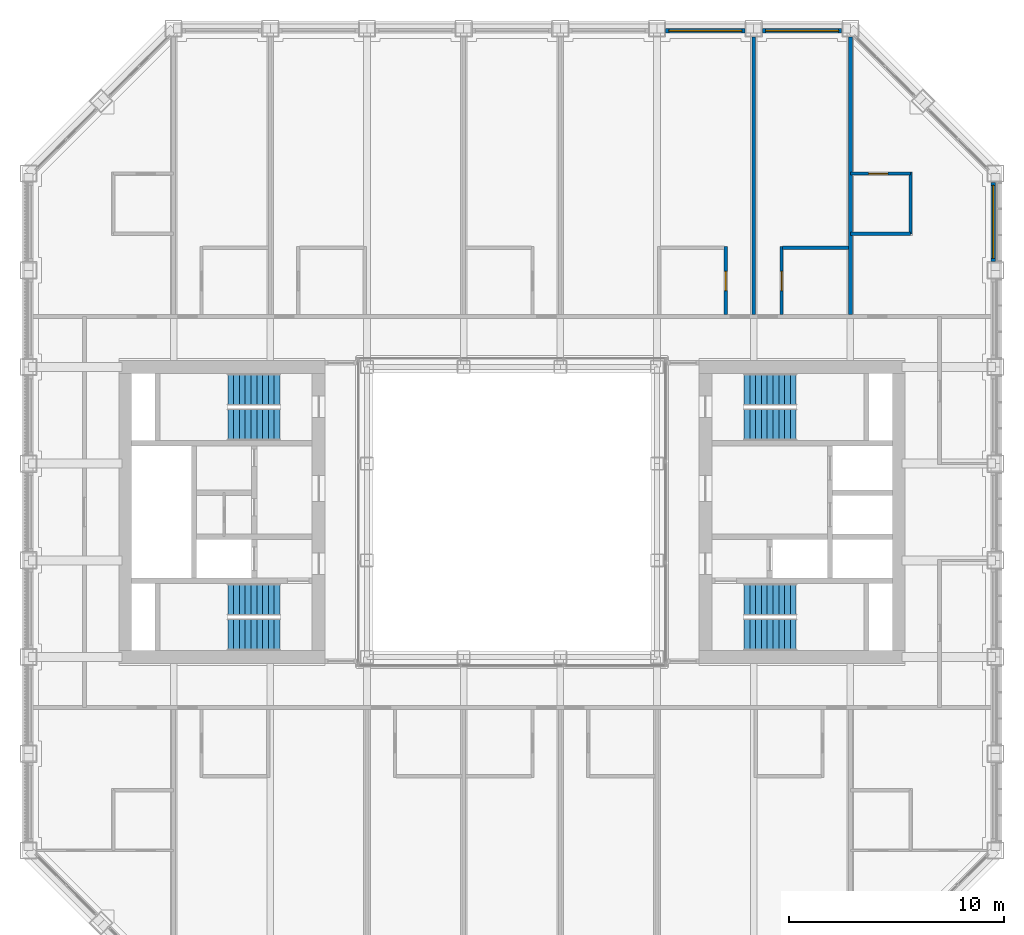
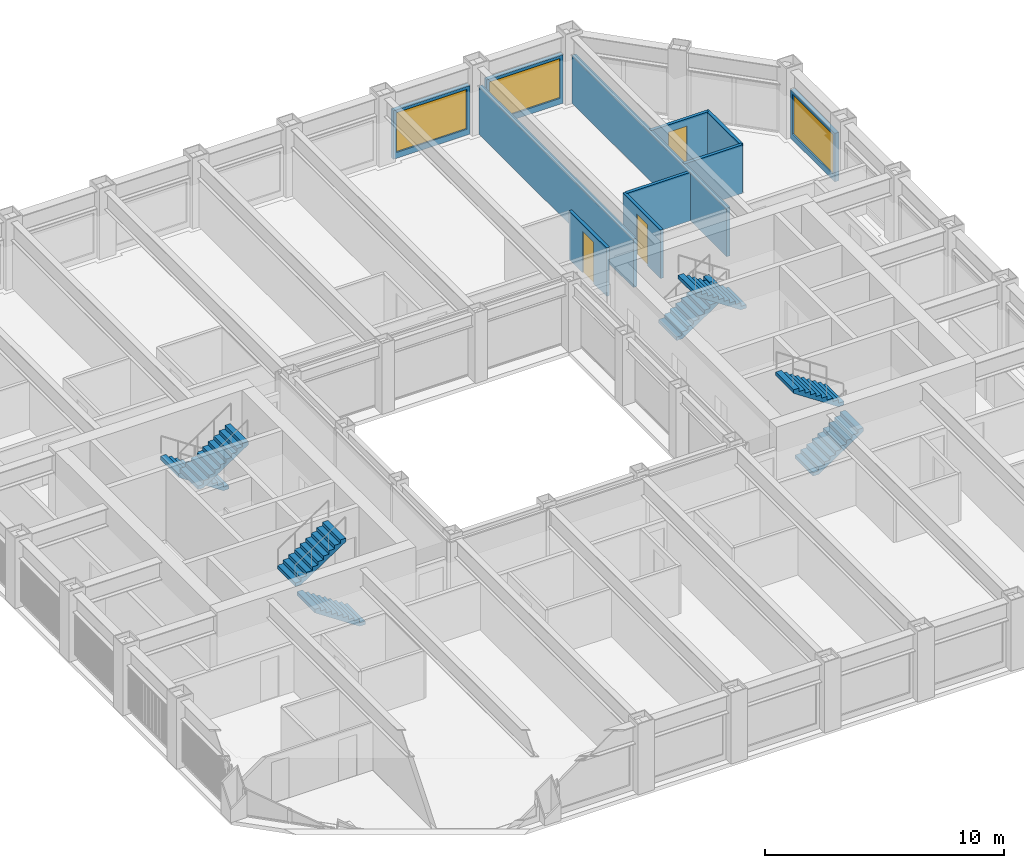
# One storey, part 14 of 17: 11 walls, 8 stair flights, 3 doors, 3 windows, 6 openings, 4 elements without a shape of their own.
"""IFC4 building model written with IfcOpenShell, lengths in metres."""

from ifc_helpers import new_model, si_unit, direction, frame, frame_2d, origin, place, context, subcontext, project, spatial, polyline, rectangle, outline, extrude, material, layer, layer_set, type_object, element, fill, aggregate, save


model = new_model("IFC4")

# Units and contexts
model_context = context("Model", 3, precision=1e-05, world=origin(), true_north=direction((0.0, 1.0)))
body_context = subcontext(model_context, "Body", "Model", "MODEL_VIEW")
ifc_project = project(units=[si_unit("LENGTHUNIT", "METRE"), si_unit("AREAUNIT", "SQUARE_METRE"), si_unit("VOLUMEUNIT", "CUBIC_METRE"), si_unit("PLANEANGLEUNIT", "RADIAN"), si_unit("MASSUNIT", "GRAM", prefix="KILO")], contexts=[model_context])

# Site, building, storey
site_placement = place(None, origin())
site = spatial("IfcSite", under=ifc_project, at=site_placement, CompositionType="ELEMENT")
building_placement = place(site_placement, origin())
building = spatial("IfcBuilding", under=site, at=building_placement, Name="Msasa Ring Tower", CompositionType="ELEMENT")
storey_placement = place(building_placement, frame((0.0, 0.0, 154.39990234375)))
storey = spatial("IfcBuildingStorey", under=building, at=storey_placement, Name="L40", CompositionType="ELEMENT", Elevation=154.39990234375)

# Wall, opening, window
ifc_material_1 = material(Name="Terracotta rainscreen on blockwork", Category="masonry")
ifc_layer_1 = layer(ifc_material_1, 0.199951171875)
ifc_layer_set_1 = layer_set([ifc_layer_1], Name="FW1 TERRACOTTA-LINED INFILL BAY WALL 200")
wall_type_1 = type_object("IfcWallType", Name="FW1 TERRACOTTA-LINED INFILL BAY WALL 200", PredefinedType="SOLIDWALL", material=ifc_layer_set_1)
wall_1_placement = place(storey_placement, frame((22.39990234375, 11.655029296875, 0.0), z_axis=(0.0, 0.0, 1.0), x_axis=(0.0, 1.0, 0.0)))
wall_1 = element("IfcWall", 1, at=wall_1_placement, inside=storey, type_object=wall_type_1, Name="Infill bay wall E L40 15", PredefinedType="SOLIDWALL", context=body_context, shape_type="SweptSolid", body=[
    extrude(rectangle(XDim=3.68994140625, YDim=0.199951171875, at=frame_2d((1.844970703125, 0.0))), origin(), (0.0, 0.0, 1.0), 2.47900390625),
])
opening_1_placement = place(wall_1_placement, frame((0.14501953125, 0.0, 0.300048828125)))
opening_1 = element("IfcOpeningElement", 2, at=opening_1_placement, cuts=wall_1, Name="Opening WN2", PredefinedType="OPENING", context=body_context, shape_type="SweptSolid", body=[
    extrude(rectangle(XDim=3.39990234375, YDim=2.029052734375, at=frame_2d((1.699951171875, 1.0146484375))), frame((0.0, 0.10986328125, 0.0), z_axis=(0.0, -1.0, 0.0), x_axis=(1.0, 0.0, 0.0)), (0.0, 0.0, 1.0), 0.219970703125),
])
ifc_material_2 = material(Name="Aluminium frame with clear glass", Category="aluminium")
window_type = type_object("IfcWindowType", Name="WN2 GUEST ROOM WINDOW 3400x2029", PartitioningType="SINGLE_PANEL", PredefinedType="WINDOW", material=ifc_material_2)
window_1_placement = place(opening_1_placement, origin())
window_1 = element("IfcWindow", 3, at=window_1_placement, inside=storey, type_object=window_type, Name="Window E L40 15", OverallHeight=2.029052734375, OverallWidth=3.39990234375, PartitioningType="SINGLE_PANEL", PredefinedType="WINDOW", context=body_context, shape_type="SweptSolid", body=[
    extrude(rectangle(XDim=3.39990234375, YDim=2.029052734375, at=frame_2d((1.699951171875, 1.0146484375))), frame((0.0, 0.030029296875, 0.0), z_axis=(0.0, -1.0, 0.0), x_axis=(1.0, 0.0, 0.0)), (0.0, 0.0, 1.0), 0.06005859375),
])
fill(opening_1, window_1)

wall_2_placement = place(storey_placement, frame((7.155029296875, 22.39990234375, 0.0), z_axis=(0.0, 0.0, 1.0), x_axis=(1.0, 0.0, 0.0)))
wall_2 = element("IfcWall", 4, at=wall_2_placement, inside=storey, type_object=wall_type_1, Name="Infill bay wall N L40 23", PredefinedType="SOLIDWALL", context=body_context, shape_type="SweptSolid", body=[
    extrude(rectangle(XDim=3.68994140625, YDim=0.199951171875, at=frame_2d((1.844970703125, 0.0))), origin(), (0.0, 0.0, 1.0), 2.47900390625),
])
opening_2_placement = place(wall_2_placement, frame((0.14501953125, 0.0, 0.300048828125)))
opening_2 = element("IfcOpeningElement", 5, at=opening_2_placement, cuts=wall_2, Name="Opening WN2", PredefinedType="OPENING", context=body_context, shape_type="SweptSolid", body=[
    extrude(rectangle(XDim=3.39990234375, YDim=2.029052734375, at=frame_2d((1.699951171875, 1.0146484375))), frame((0.0, 0.10986328125, 0.0), z_axis=(0.0, -1.0, 0.0), x_axis=(1.0, 0.0, 0.0)), (0.0, 0.0, 1.0), 0.219970703125),
])
window_2_placement = place(opening_2_placement, origin())
window_2 = element("IfcWindow", 6, at=window_2_placement, inside=storey, type_object=window_type, Name="Window N L40 23", OverallHeight=2.029052734375, OverallWidth=3.39990234375, PartitioningType="SINGLE_PANEL", PredefinedType="WINDOW", context=body_context, shape_type="SweptSolid", body=[
    extrude(rectangle(XDim=3.39990234375, YDim=2.029052734375, at=frame_2d((1.699951171875, 1.0146484375))), frame((0.0, 0.030029296875, 0.0), z_axis=(0.0, -1.0, 0.0), x_axis=(1.0, 0.0, 0.0)), (0.0, 0.0, 1.0), 0.06005859375),
])
fill(opening_2, window_2)

wall_3_placement = place(storey_placement, frame((11.655029296875, 22.39990234375, 0.0), z_axis=(0.0, 0.0, 1.0), x_axis=(1.0, 0.0, 0.0)))
wall_3 = element("IfcWall", 7, at=wall_3_placement, inside=storey, type_object=wall_type_1, Name="Infill bay wall N L40 24", PredefinedType="SOLIDWALL", context=body_context, shape_type="SweptSolid", body=[
    extrude(rectangle(XDim=3.68994140625, YDim=0.199951171875, at=frame_2d((1.844970703125, 0.0))), origin(), (0.0, 0.0, 1.0), 2.47900390625),
])
opening_3_placement = place(wall_3_placement, frame((0.14501953125, 0.0, 0.300048828125)))
opening_3 = element("IfcOpeningElement", 8, at=opening_3_placement, cuts=wall_3, Name="Opening WN2", PredefinedType="OPENING", context=body_context, shape_type="SweptSolid", body=[
    extrude(rectangle(XDim=3.39990234375, YDim=2.029052734375, at=frame_2d((1.699951171875, 1.0146484375))), frame((0.0, 0.10986328125, 0.0), z_axis=(0.0, -1.0, 0.0), x_axis=(1.0, 0.0, 0.0)), (0.0, 0.0, 1.0), 0.219970703125),
])
window_3_placement = place(opening_3_placement, origin())
window_3 = element("IfcWindow", 9, at=window_3_placement, inside=storey, type_object=window_type, Name="Window N L40 24", OverallHeight=2.029052734375, OverallWidth=3.39990234375, PartitioningType="SINGLE_PANEL", PredefinedType="WINDOW", context=body_context, shape_type="SweptSolid", body=[
    extrude(rectangle(XDim=3.39990234375, YDim=2.029052734375, at=frame_2d((1.699951171875, 1.0146484375))), frame((0.0, 0.030029296875, 0.0), z_axis=(0.0, -1.0, 0.0), x_axis=(1.0, 0.0, 0.0)), (0.0, 0.0, 1.0), 0.06005859375),
])
fill(opening_3, window_3)

# Wall, opening, door
ifc_material_3 = material(Name="Moisture-resistant board on steel studs with a concealed cistern and pipe void, tiled", Category="steel")
ifc_layer_2 = layer(ifc_material_3, 0.14990234375)
ifc_layer_set_2 = layer_set([ifc_layer_2], Name="PT4 BATHROOM WET WALL 150")
wall_type_2 = type_object("IfcWallType", Name="PT4 BATHROOM WET WALL 150", PredefinedType="PARTITIONING", material=ifc_layer_set_2)
wall_4_placement = place(storey_placement, frame((9.949951171875, 9.199951171875, 0.0), z_axis=(0.0, 0.0, 1.0), x_axis=(0.0, 1.0, 0.0)))
wall_4 = element("IfcWall", 10, at=wall_4_placement, inside=storey, type_object=wall_type_2, Name="Partition L40-GN03BX", PredefinedType="PARTITIONING", context=body_context, shape_type="SweptSolid", body=[
    extrude(rectangle(XDim=3.150146484375, YDim=0.14990234375, at=frame_2d((1.5751953125, 0.0))), origin(), (0.0, 0.0, 1.0), 2.473388671875),
])
opening_4_placement = place(wall_4_placement, frame((1.10009765625, 0.0, 0.0)))
opening_4 = element("IfcOpeningElement", 11, at=opening_4_placement, cuts=wall_4, Name="Opening HD-006", PredefinedType="OPENING", context=body_context, shape_type="SweptSolid", body=[
    extrude(rectangle(XDim=0.89990234375, YDim=2.10009765625, at=frame_2d((0.449951171875, 1.050048828125))), frame((0.0, 0.0849609375, 0.0), z_axis=(0.0, -1.0, 0.0), x_axis=(1.0, 0.0, 0.0)), (0.0, 0.0, 1.0), 0.169921875),
])
ifc_material_4 = material(Name="Timber door leaf in a steel frame", Category="steel")
door_type = type_object("IfcDoorType", Name="D3 BATHROOM DOOR 900x2100", OperationType="SINGLE_SWING_LEFT", PredefinedType="DOOR", material=ifc_material_4)
door_1_placement = place(opening_4_placement, origin())
door_1 = element("IfcDoor", 12, at=door_1_placement, inside=storey, type_object=door_type, Name="Door L40-GN03B", OperationType="SINGLE_SWING_LEFT", OverallHeight=2.10009765625, OverallWidth=0.89990234375, PredefinedType="DOOR", context=body_context, shape_type="SweptSolid", body=[
    extrude(rectangle(XDim=0.89990234375, YDim=2.10009765625, at=frame_2d((0.449951171875, 1.050048828125))), frame((0.0, 0.02490234375, 0.0), z_axis=(0.0, -1.0, 0.0), x_axis=(1.0, 0.0, 0.0)), (0.0, 0.0, 1.0), 0.050048828125),
])
fill(opening_4, door_1)

wall_5_placement = place(storey_placement, frame((12.550048828125, 9.199951171875, 0.0), z_axis=(0.0, 0.0, 1.0), x_axis=(0.0, 1.0, 0.0)))
wall_5 = element("IfcWall", 13, at=wall_5_placement, inside=storey, type_object=wall_type_2, Name="Partition L40-GN04BX", PredefinedType="PARTITIONING", context=body_context, shape_type="SweptSolid", body=[
    extrude(rectangle(XDim=3.150146484375, YDim=0.14990234375, at=frame_2d((1.5751953125, 0.0))), origin(), (0.0, 0.0, 1.0), 2.473388671875),
])
opening_5_placement = place(wall_5_placement, frame((1.10009765625, 0.0, 0.0)))
opening_5 = element("IfcOpeningElement", 14, at=opening_5_placement, cuts=wall_5, Name="Opening HD-007", PredefinedType="OPENING", context=body_context, shape_type="SweptSolid", body=[
    extrude(rectangle(XDim=0.89990234375, YDim=2.10009765625, at=frame_2d((0.449951171875, 1.050048828125))), frame((0.0, 0.0849609375, 0.0), z_axis=(0.0, -1.0, 0.0), x_axis=(1.0, 0.0, 0.0)), (0.0, 0.0, 1.0), 0.169921875),
])
door_2_placement = place(opening_5_placement, origin())
door_2 = element("IfcDoor", 15, at=door_2_placement, inside=storey, type_object=door_type, Name="Door L40-GN04B", OperationType="SINGLE_SWING_LEFT", OverallHeight=2.10009765625, OverallWidth=0.89990234375, PredefinedType="DOOR", context=body_context, shape_type="SweptSolid", body=[
    extrude(rectangle(XDim=0.89990234375, YDim=2.10009765625, at=frame_2d((0.449951171875, 1.050048828125))), frame((0.0, 0.02490234375, 0.0), z_axis=(0.0, -1.0, 0.0), x_axis=(1.0, 0.0, 0.0)), (0.0, 0.0, 1.0), 0.050048828125),
])
fill(opening_5, door_2)

# Walls
wall_6_placement = place(storey_placement, frame((12.60009765625, 12.300048828125, 0.0), z_axis=(0.0, 0.0, 1.0), x_axis=(1.0, 0.0, 0.0)))
element("IfcWall", 16, at=wall_6_placement, inside=storey, type_object=wall_type_2, Name="Partition L40-GN04BY", PredefinedType="PARTITIONING", context=body_context, shape_type="SweptSolid", body=[
    extrude(rectangle(XDim=3.0625, YDim=0.14990234375, at=frame_2d((1.53125, 0.0))), origin(), (0.0, 0.0, 1.0), 2.473388671875),
])
wall_7_placement = place(storey_placement, frame((18.550048828125, 12.949951171875, 0.0), z_axis=(0.0, 0.0, 1.0), x_axis=(0.0, 1.0, 0.0)))
element("IfcWall", 17, at=wall_7_placement, inside=storey, type_object=wall_type_2, Name="Partition L40-CSNEBX", PredefinedType="PARTITIONING", context=body_context, shape_type="SweptSolid", body=[
    extrude(rectangle(XDim=2.875, YDim=0.14990234375, at=frame_2d((1.4375, 0.0))), origin(), (0.0, 0.0, 1.0), 2.473388671875),
])
wall_8_placement = place(storey_placement, frame((15.75, 12.949951171875, 0.0), z_axis=(0.0, 0.0, 1.0), x_axis=(1.0, 0.0, 0.0)))
element("IfcWall", 18, at=wall_8_placement, inside=storey, type_object=wall_type_2, Name="Partition L40-CSNEBY", PredefinedType="PARTITIONING", context=body_context, shape_type="SweptSolid", body=[
    extrude(rectangle(XDim=2.800048828125, YDim=0.14990234375, at=frame_2d((1.39990234375, 0.0))), origin(), (0.0, 0.0, 1.0), 2.473388671875),
])

# Wall, opening, door
wall_9_placement = place(storey_placement, frame((15.75, 15.75, 0.0), z_axis=(0.0, 0.0, 1.0), x_axis=(1.0, 0.0, 0.0)))
wall_9 = element("IfcWall", 19, at=wall_9_placement, inside=storey, type_object=wall_type_2, Name="Partition L40-CSNEBZ", PredefinedType="PARTITIONING", context=body_context, shape_type="SweptSolid", body=[
    extrude(rectangle(XDim=2.800048828125, YDim=0.14990234375, at=frame_2d((1.39990234375, 0.0))), origin(), (0.0, 0.0, 1.0), 2.473388671875),
])
opening_6_placement = place(wall_9_placement, frame((0.85009765625, 0.0, 0.0)))
opening_6 = element("IfcOpeningElement", 20, at=opening_6_placement, cuts=wall_9, Name="Opening HD-002", PredefinedType="OPENING", context=body_context, shape_type="SweptSolid", body=[
    extrude(rectangle(XDim=0.89990234375, YDim=2.10009765625, at=frame_2d((0.449951171875, 1.050048828125))), frame((0.0, 0.0849609375, 0.0), z_axis=(0.0, -1.0, 0.0), x_axis=(1.0, 0.0, 0.0)), (0.0, 0.0, 1.0), 0.169921875),
])
door_3_placement = place(opening_6_placement, origin())
door_3 = element("IfcDoor", 21, at=door_3_placement, inside=storey, type_object=door_type, Name="Door L40-CSNEB1", OperationType="SINGLE_SWING_LEFT", OverallHeight=2.10009765625, OverallWidth=0.89990234375, PredefinedType="DOOR", context=body_context, shape_type="SweptSolid", body=[
    extrude(rectangle(XDim=0.89990234375, YDim=2.10009765625, at=frame_2d((0.449951171875, 1.050048828125))), frame((0.0, 0.02490234375, 0.0), z_axis=(0.0, -1.0, 0.0), x_axis=(1.0, 0.0, 0.0)), (0.0, 0.0, 1.0), 0.050048828125),
])
fill(opening_6, door_3)

# Walls
ifc_material_5 = material(Name="Twin steel studs, two layers of acoustic board each face, mineral wool", Category="steel")
ifc_layer_3 = layer(ifc_material_5, 0.175048828125)
ifc_layer_set_3 = layer_set([ifc_layer_3], Name="PT5 GUEST ROOM SEPARATING WALL 175")
wall_type_3 = type_object("IfcWallType", Name="PT5 GUEST ROOM SEPARATING WALL 175", PredefinedType="PARTITIONING", material=ifc_layer_set_3)
for number, where, z_axis, x_axis, name in (
    (22, (11.25, 9.199951171875, 0.0), (0.0, 0.0, 1.0), (0.0, 1.0, 0.0), "Partition L40-PWN+11.25"),
    (23, (15.75, 9.199951171875, 0.0), (0.0, 0.0, 1.0), (0.0, 1.0, 0.0), "Partition L40-PWN+15.75"),
):
    element("IfcWall", number, at=place(storey_placement, frame(where, z_axis=z_axis, x_axis=x_axis)), inside=storey, type_object=wall_type_3, Name=name, PredefinedType="PARTITIONING", context=body_context, shape_type="SweptSolid", body=[
        extrude(rectangle(XDim=12.900146484375, YDim=0.175048828125, at=frame_2d((6.4501953125, 0.0))), origin(), (0.0, 0.0, 1.0), 2.473388671875),
    ])

# Stair, stair flights
ifc_material_6 = material(Name="Concrete C40/50", Category="concrete")
stair_type = type_object("IfcStairType", Name="STC CORE STAIR 20 RISERS 180", PredefinedType="HALF_TURN_STAIR", material=ifc_material_6)
stair_1_placement = place(storey_placement, origin())
stair_1 = element("IfcStair", 24, at=stair_1_placement, inside=storey, type_object=stair_type, Name="Core stair SEA L40", PredefinedType="HALF_TURN_STAIR")
ifc_material_7 = material(Name="Concrete C40/50", Category="concrete")
stair_flight_type = type_object("IfcStairFlightType", Name="ST14 CORE STAIR FLIGHT 1500 10 RISERS 180", PredefinedType="STRAIGHT", material=ifc_material_7)
stair_flight_1_placement = place(storey_placement, frame((10.800048828125, -5.699951171875, 0.0), z_axis=(0.0, 0.0, 1.0), x_axis=(1.0, 0.0, 0.0)))
stair_flight_1 = element("IfcStairFlight", 25, at=stair_flight_1_placement, type_object=stair_flight_type, Name="SEA flight 1", NumberOfRisers=10, NumberOfTreads=9, PredefinedType="STRAIGHT", RiserHeight=0.18, TreadLength=0.27, context=body_context, shape_type="SweptSolid", body=[
    extrude(outline(polyline([(0.0, 0.0), (0.0, 0.179931640625), (0.27001953125, 0.179931640625), (0.27001953125, 0.360107421875), (0.5400390625, 0.360107421875), (0.5400390625, 0.5400390625), (0.81005859375, 0.5400390625), (0.81005859375, 0.719970703125), (1.080078125, 0.719970703125), (1.080078125, 0.89990234375), (1.35009765625, 0.89990234375), (1.35009765625, 1.080078125), (1.6201171875, 1.080078125), (1.6201171875, 1.260009765625), (1.889892578125, 1.260009765625), (1.889892578125, 1.43994140625), (2.159912109375, 1.43994140625), (2.159912109375, 1.6201171875), (2.429931640625, 1.6201171875), (2.429931640625, 1.800048828125), (2.429931640625, 1.43994140625), (0.270263671875, 0.0), (0.0, 0.0)])), frame((0.0, 0.75, 0.0), z_axis=(0.0, -1.0, 0.0), x_axis=(1.0, 0.0, 0.0)), (0.0, 0.0, 1.0), 1.5),
])
stair_flight_2_placement = place(storey_placement, frame((13.22998046875, -4.074951171875, 1.800048828125), z_axis=(0.0, 0.0, 1.0), x_axis=(-1.0, 0.0, 0.0)))
stair_flight_2 = element("IfcStairFlight", 26, at=stair_flight_2_placement, type_object=stair_flight_type, Name="SEA flight 2", NumberOfRisers=10, NumberOfTreads=9, PredefinedType="STRAIGHT", RiserHeight=0.18, TreadLength=0.27, context=body_context, shape_type="SweptSolid", body=[
    extrude(outline(polyline([(0.0, 0.0), (0.0, 0.179931640625), (0.27001953125, 0.179931640625), (0.27001953125, 0.360107421875), (0.5400390625, 0.360107421875), (0.5400390625, 0.5400390625), (0.81005859375, 0.5400390625), (0.81005859375, 0.719970703125), (1.080078125, 0.719970703125), (1.080078125, 0.89990234375), (1.35009765625, 0.89990234375), (1.35009765625, 1.080078125), (1.6201171875, 1.080078125), (1.6201171875, 1.260009765625), (1.889892578125, 1.260009765625), (1.889892578125, 1.43994140625), (2.159912109375, 1.43994140625), (2.159912109375, 1.6201171875), (2.429931640625, 1.6201171875), (2.429931640625, 1.800048828125), (2.429931640625, 1.43994140625), (0.270263671875, 0.0), (0.0, 0.0)])), frame((0.0, 0.75, 0.0), z_axis=(0.0, -1.0, 0.0), x_axis=(1.0, 0.0, 0.0)), (0.0, 0.0, 1.0), 1.5),
])
aggregate(stair_1, [stair_flight_1, stair_flight_2])

stair_2_placement = place(storey_placement, origin())
stair_2 = element("IfcStair", 27, at=stair_2_placement, inside=storey, type_object=stair_type, Name="Core stair SEB L40", PredefinedType="HALF_TURN_STAIR")
stair_flight_3_placement = place(storey_placement, frame((10.800048828125, 5.699951171875, 0.0), z_axis=(0.0, 0.0, 1.0), x_axis=(1.0, 0.0, 0.0)))
stair_flight_3 = element("IfcStairFlight", 28, at=stair_flight_3_placement, type_object=stair_flight_type, Name="SEB flight 1", NumberOfRisers=10, NumberOfTreads=9, PredefinedType="STRAIGHT", RiserHeight=0.18, TreadLength=0.27, context=body_context, shape_type="SweptSolid", body=[
    extrude(outline(polyline([(0.0, 0.0), (0.0, 0.179931640625), (0.27001953125, 0.179931640625), (0.27001953125, 0.360107421875), (0.5400390625, 0.360107421875), (0.5400390625, 0.5400390625), (0.81005859375, 0.5400390625), (0.81005859375, 0.719970703125), (1.080078125, 0.719970703125), (1.080078125, 0.89990234375), (1.35009765625, 0.89990234375), (1.35009765625, 1.080078125), (1.6201171875, 1.080078125), (1.6201171875, 1.260009765625), (1.889892578125, 1.260009765625), (1.889892578125, 1.43994140625), (2.159912109375, 1.43994140625), (2.159912109375, 1.6201171875), (2.429931640625, 1.6201171875), (2.429931640625, 1.800048828125), (2.429931640625, 1.43994140625), (0.270263671875, 0.0), (0.0, 0.0)])), frame((0.0, 0.75, 0.0), z_axis=(0.0, -1.0, 0.0), x_axis=(1.0, 0.0, 0.0)), (0.0, 0.0, 1.0), 1.5),
])
stair_flight_4_placement = place(storey_placement, frame((13.22998046875, 4.074951171875, 1.800048828125), z_axis=(0.0, 0.0, 1.0), x_axis=(-1.0, 0.0, 0.0)))
stair_flight_4 = element("IfcStairFlight", 29, at=stair_flight_4_placement, type_object=stair_flight_type, Name="SEB flight 2", NumberOfRisers=10, NumberOfTreads=9, PredefinedType="STRAIGHT", RiserHeight=0.18, TreadLength=0.27, context=body_context, shape_type="SweptSolid", body=[
    extrude(outline(polyline([(0.0, 0.0), (0.0, 0.179931640625), (0.27001953125, 0.179931640625), (0.27001953125, 0.360107421875), (0.5400390625, 0.360107421875), (0.5400390625, 0.5400390625), (0.81005859375, 0.5400390625), (0.81005859375, 0.719970703125), (1.080078125, 0.719970703125), (1.080078125, 0.89990234375), (1.35009765625, 0.89990234375), (1.35009765625, 1.080078125), (1.6201171875, 1.080078125), (1.6201171875, 1.260009765625), (1.889892578125, 1.260009765625), (1.889892578125, 1.43994140625), (2.159912109375, 1.43994140625), (2.159912109375, 1.6201171875), (2.429931640625, 1.6201171875), (2.429931640625, 1.800048828125), (2.429931640625, 1.43994140625), (0.270263671875, 0.0), (0.0, 0.0)])), frame((0.0, 0.75, 0.0), z_axis=(0.0, -1.0, 0.0), x_axis=(1.0, 0.0, 0.0)), (0.0, 0.0, 1.0), 1.5),
])
aggregate(stair_2, [stair_flight_3, stair_flight_4])

stair_3_placement = place(storey_placement, origin())
stair_3 = element("IfcStair", 30, at=stair_3_placement, inside=storey, type_object=stair_type, Name="Core stair SWA L40", PredefinedType="HALF_TURN_STAIR")
stair_flight_5_placement = place(storey_placement, frame((-10.800048828125, -5.699951171875, 0.0), z_axis=(0.0, 0.0, 1.0), x_axis=(-1.0, 0.0, 0.0)))
stair_flight_5 = element("IfcStairFlight", 31, at=stair_flight_5_placement, type_object=stair_flight_type, Name="SWA flight 1", NumberOfRisers=10, NumberOfTreads=9, PredefinedType="STRAIGHT", RiserHeight=0.18, TreadLength=0.27, context=body_context, shape_type="SweptSolid", body=[
    extrude(outline(polyline([(0.0, 0.0), (0.0, 0.179931640625), (0.27001953125, 0.179931640625), (0.27001953125, 0.360107421875), (0.5400390625, 0.360107421875), (0.5400390625, 0.5400390625), (0.81005859375, 0.5400390625), (0.81005859375, 0.719970703125), (1.080078125, 0.719970703125), (1.080078125, 0.89990234375), (1.35009765625, 0.89990234375), (1.35009765625, 1.080078125), (1.6201171875, 1.080078125), (1.6201171875, 1.260009765625), (1.889892578125, 1.260009765625), (1.889892578125, 1.43994140625), (2.159912109375, 1.43994140625), (2.159912109375, 1.6201171875), (2.429931640625, 1.6201171875), (2.429931640625, 1.800048828125), (2.429931640625, 1.43994140625), (0.270263671875, 0.0), (0.0, 0.0)])), frame((0.0, 0.75, 0.0), z_axis=(0.0, -1.0, 0.0), x_axis=(1.0, 0.0, 0.0)), (0.0, 0.0, 1.0), 1.5),
])
stair_flight_6_placement = place(storey_placement, frame((-13.22998046875, -4.074951171875, 1.800048828125), z_axis=(0.0, 0.0, 1.0), x_axis=(1.0, 0.0, 0.0)))
stair_flight_6 = element("IfcStairFlight", 32, at=stair_flight_6_placement, type_object=stair_flight_type, Name="SWA flight 2", NumberOfRisers=10, NumberOfTreads=9, PredefinedType="STRAIGHT", RiserHeight=0.18, TreadLength=0.27, context=body_context, shape_type="SweptSolid", body=[
    extrude(outline(polyline([(0.0, 0.0), (0.0, 0.179931640625), (0.27001953125, 0.179931640625), (0.27001953125, 0.360107421875), (0.5400390625, 0.360107421875), (0.5400390625, 0.5400390625), (0.81005859375, 0.5400390625), (0.81005859375, 0.719970703125), (1.080078125, 0.719970703125), (1.080078125, 0.89990234375), (1.35009765625, 0.89990234375), (1.35009765625, 1.080078125), (1.6201171875, 1.080078125), (1.6201171875, 1.260009765625), (1.889892578125, 1.260009765625), (1.889892578125, 1.43994140625), (2.159912109375, 1.43994140625), (2.159912109375, 1.6201171875), (2.429931640625, 1.6201171875), (2.429931640625, 1.800048828125), (2.429931640625, 1.43994140625), (0.270263671875, 0.0), (0.0, 0.0)])), frame((0.0, 0.75, 0.0), z_axis=(0.0, -1.0, 0.0), x_axis=(1.0, 0.0, 0.0)), (0.0, 0.0, 1.0), 1.5),
])
aggregate(stair_3, [stair_flight_5, stair_flight_6])

stair_4_placement = place(storey_placement, origin())
stair_4 = element("IfcStair", 33, at=stair_4_placement, inside=storey, type_object=stair_type, Name="Core stair SWB L40", PredefinedType="HALF_TURN_STAIR")
stair_flight_7_placement = place(storey_placement, frame((-10.800048828125, 5.699951171875, 0.0), z_axis=(0.0, 0.0, 1.0), x_axis=(-1.0, 0.0, 0.0)))
stair_flight_7 = element("IfcStairFlight", 34, at=stair_flight_7_placement, type_object=stair_flight_type, Name="SWB flight 1", NumberOfRisers=10, NumberOfTreads=9, PredefinedType="STRAIGHT", RiserHeight=0.18, TreadLength=0.27, context=body_context, shape_type="SweptSolid", body=[
    extrude(outline(polyline([(0.0, 0.0), (0.0, 0.179931640625), (0.27001953125, 0.179931640625), (0.27001953125, 0.360107421875), (0.5400390625, 0.360107421875), (0.5400390625, 0.5400390625), (0.81005859375, 0.5400390625), (0.81005859375, 0.719970703125), (1.080078125, 0.719970703125), (1.080078125, 0.89990234375), (1.35009765625, 0.89990234375), (1.35009765625, 1.080078125), (1.6201171875, 1.080078125), (1.6201171875, 1.260009765625), (1.889892578125, 1.260009765625), (1.889892578125, 1.43994140625), (2.159912109375, 1.43994140625), (2.159912109375, 1.6201171875), (2.429931640625, 1.6201171875), (2.429931640625, 1.800048828125), (2.429931640625, 1.43994140625), (0.270263671875, 0.0), (0.0, 0.0)])), frame((0.0, 0.75, 0.0), z_axis=(0.0, -1.0, 0.0), x_axis=(1.0, 0.0, 0.0)), (0.0, 0.0, 1.0), 1.5),
])
stair_flight_8_placement = place(storey_placement, frame((-13.22998046875, 4.074951171875, 1.800048828125), z_axis=(0.0, 0.0, 1.0), x_axis=(1.0, 0.0, 0.0)))
stair_flight_8 = element("IfcStairFlight", 35, at=stair_flight_8_placement, type_object=stair_flight_type, Name="SWB flight 2", NumberOfRisers=10, NumberOfTreads=9, PredefinedType="STRAIGHT", RiserHeight=0.18, TreadLength=0.27, context=body_context, shape_type="SweptSolid", body=[
    extrude(outline(polyline([(0.0, 0.0), (0.0, 0.179931640625), (0.27001953125, 0.179931640625), (0.27001953125, 0.360107421875), (0.5400390625, 0.360107421875), (0.5400390625, 0.5400390625), (0.81005859375, 0.5400390625), (0.81005859375, 0.719970703125), (1.080078125, 0.719970703125), (1.080078125, 0.89990234375), (1.35009765625, 0.89990234375), (1.35009765625, 1.080078125), (1.6201171875, 1.080078125), (1.6201171875, 1.260009765625), (1.889892578125, 1.260009765625), (1.889892578125, 1.43994140625), (2.159912109375, 1.43994140625), (2.159912109375, 1.6201171875), (2.429931640625, 1.6201171875), (2.429931640625, 1.800048828125), (2.429931640625, 1.43994140625), (0.270263671875, 0.0), (0.0, 0.0)])), frame((0.0, 0.75, 0.0), z_axis=(0.0, -1.0, 0.0), x_axis=(1.0, 0.0, 0.0)), (0.0, 0.0, 1.0), 1.5),
])
aggregate(stair_4, [stair_flight_7, stair_flight_8])

save(model, "model.ifc")
